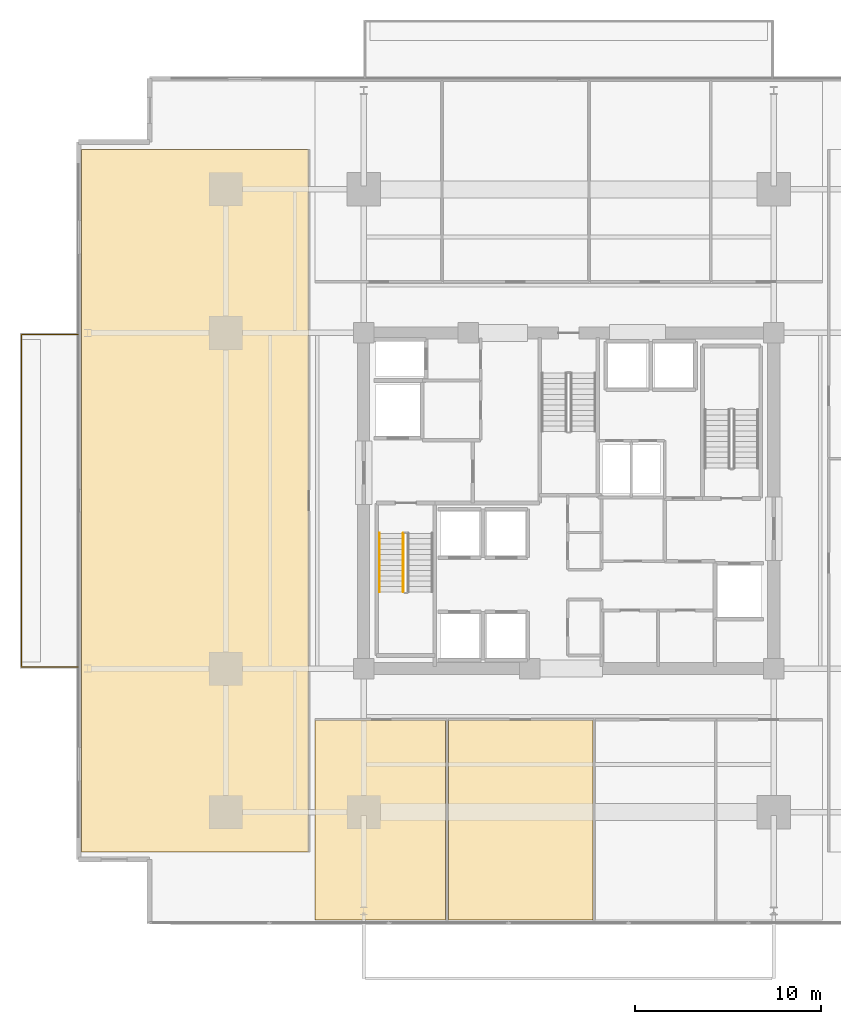
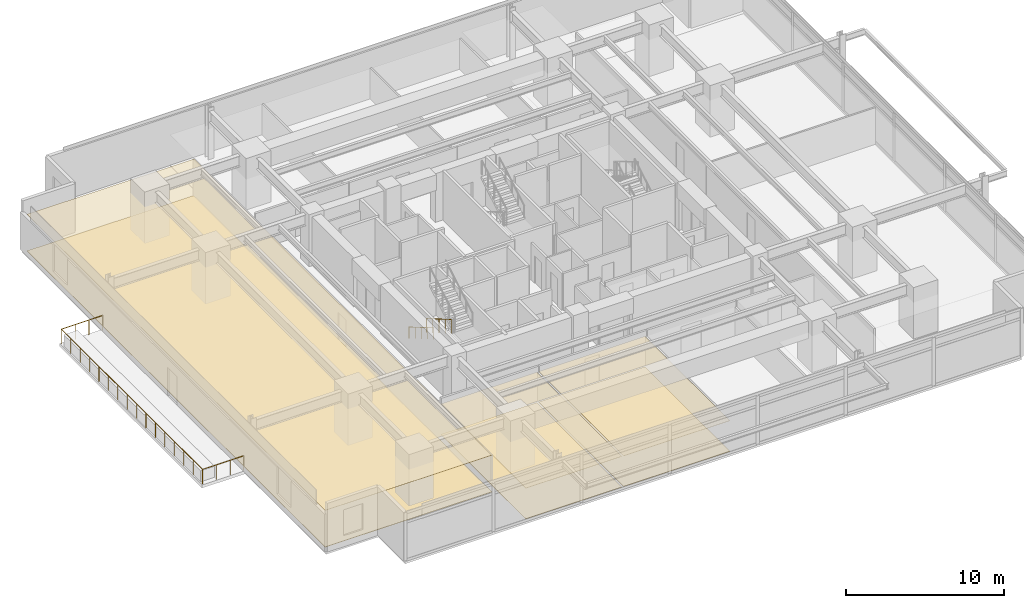
# One storey, part 16 of 19: 6 coverings, 3 railings.
"""IFC4 building model written with IfcOpenShell, lengths in metres."""

from ifc_helpers import new_model, si_unit, direction, frame, origin, origin_2d, place, context, subcontext, project, spatial, polyline, circle, outline, extrude, material, layer, layer_set, type_object, element, save


model = new_model("IFC4")

# Units and contexts
model_context = context("Model", 3, precision=1e-05, world=origin(), true_north=direction((0.0, 1.0)))
body_context = subcontext(model_context, "Body", "Model", "MODEL_VIEW")
ifc_project = project(units=[si_unit("LENGTHUNIT", "METRE"), si_unit("AREAUNIT", "SQUARE_METRE"), si_unit("VOLUMEUNIT", "CUBIC_METRE"), si_unit("PLANEANGLEUNIT", "RADIAN"), si_unit("MASSUNIT", "GRAM", prefix="KILO")], contexts=[model_context])

# Site, building, storey
site_placement = place(None, origin())
site = spatial("IfcSite", under=ifc_project, at=site_placement, CompositionType="ELEMENT")
building_placement = place(site_placement, origin())
building = spatial("IfcBuilding", under=site, at=building_placement, Name="Kovane Verandah Tower", CompositionType="ELEMENT")
storey_placement = place(building_placement, frame((0.0, 0.0, 83.60009765625)))
storey = spatial("IfcBuildingStorey", under=building, at=storey_placement, Name="L19", CompositionType="ELEMENT", Elevation=83.60009765625)

# Coverings
ifc_material_1 = material(Name="Perforated Acoustic Mineral-Fibre Ceiling Tile", Category="gypsum")
ifc_layer_1 = layer(ifc_material_1, 0.02490234375)
ifc_layer_set_1 = layer_set([ifc_layer_1], Name="Perforated Acoustic Mineral-Fibre Ceiling Tile")
covering_type_1 = type_object("IfcCoveringType", Name="CV-CEIL-25", PredefinedType="CEILING", material=ifc_layer_set_1)
covering_1_placement = place(storey_placement, frame((0.0, 0.0, 2.364990234375)))
element("IfcCovering", 1, at=covering_1_placement, inside=storey, type_object=covering_type_1, Name="L19 Open Plan Office S1 Acoustic Ceiling", PredefinedType="CEILING", context=body_context, shape_type="SweptSolid", body=[
    extrude(outline(polyline([(26.39990234375, 5.0107421875), (33.402099609375, 5.0107421875), (33.402099609375, 15.75), (26.39990234375, 15.75), (26.39990234375, 5.0107421875)])), origin(), (0.0, 0.0, 1.0), 0.02490234375),
])
covering_2_placement = place(storey_placement, frame((0.0, 0.0, 2.364990234375)))
element("IfcCovering", 2, at=covering_2_placement, inside=storey, type_object=covering_type_1, Name="L19 Executive Office S2 Acoustic Ceiling", PredefinedType="CEILING", context=body_context, shape_type="SweptSolid", body=[
    extrude(outline(polyline([(33.5419921875, 5.0107421875), (41.2900390625, 5.0107421875), (41.2900390625, 15.75), (33.5419921875, 15.75), (33.5419921875, 5.0107421875)])), origin(), (0.0, 0.0, 1.0), 0.02490234375),
])
covering_3_placement = place(storey_placement, frame((0.0, 0.0, 2.824951171875)))
element("IfcCovering", 3, at=covering_3_placement, inside=storey, type_object=covering_type_1, Name="L19 Focus Studio W1 Acoustic Ceiling", PredefinedType="CEILING", context=body_context, shape_type="SweptSolid", body=[
    extrude(outline(polyline([(13.865478515625, 8.660888671875), (26.050048828125, 8.660888671875), (26.050048828125, 46.339111328125), (13.865478515625, 46.339111328125), (13.865478515625, 8.660888671875)])), origin(), (0.0, 0.0, 1.0), 0.02490234375),
])
ifc_material_2 = material(Name="Polished Terrazzo and Raised-Access Carpet Tile Finish", Category="concrete")
ifc_layer_2 = layer(ifc_material_2, 0.030029296875)
ifc_layer_set_2 = layer_set([ifc_layer_2], Name="Polished Terrazzo and Raised-Access Carpet Tile Finish")
covering_type_2 = type_object("IfcCoveringType", Name="CV-FLOR-30", PredefinedType="FLOORING", material=ifc_layer_set_2)
covering_4_placement = place(storey_placement, origin())
element("IfcCovering", 4, at=covering_4_placement, inside=storey, type_object=covering_type_2, Name="L19 Open Plan Office S1 Floor Finish", PredefinedType="FLOORING", context=body_context, shape_type="SweptSolid", body=[
    extrude(outline(polyline([(26.39990234375, 5.0107421875), (33.402099609375, 5.0107421875), (33.402099609375, 15.75), (26.39990234375, 15.75), (26.39990234375, 5.0107421875)])), origin(), (0.0, 0.0, 1.0), 0.02978515625),
])
covering_5_placement = place(storey_placement, origin())
element("IfcCovering", 5, at=covering_5_placement, inside=storey, type_object=covering_type_2, Name="L19 Executive Office S2 Floor Finish", PredefinedType="FLOORING", context=body_context, shape_type="SweptSolid", body=[
    extrude(outline(polyline([(33.5419921875, 5.0107421875), (41.2900390625, 5.0107421875), (41.2900390625, 15.75), (33.5419921875, 15.75), (33.5419921875, 5.0107421875)])), origin(), (0.0, 0.0, 1.0), 0.02978515625),
])
covering_6_placement = place(storey_placement, origin())
element("IfcCovering", 6, at=covering_6_placement, inside=storey, type_object=covering_type_2, Name="L19 Focus Studio W1 Floor Finish", PredefinedType="FLOORING", context=body_context, shape_type="SweptSolid", body=[
    extrude(outline(polyline([(13.865478515625, 8.660888671875), (26.050048828125, 8.660888671875), (26.050048828125, 46.339111328125), (13.865478515625, 46.339111328125), (13.865478515625, 8.660888671875)])), origin(), (0.0, 0.0, 1.0), 0.02978515625),
])

# Railings
ifc_material_3 = material(Name="Laminated Glass and Pale-Champagne Stainless Balustrade", Category="glass")
railing_type_1 = type_object("IfcRailingType", Name="RL-BAL-1150", PredefinedType="BALUSTRADE", material=ifc_material_3)
railing_1_placement = place(storey_placement, frame((13.665283203125, 18.580078125, 0.0)))
element("IfcRailing", 7, at=railing_1_placement, inside=storey, type_object=railing_type_1, Name="L19 W Verandah Glass Balustrade", PredefinedType="BALUSTRADE", context=body_context, shape_type="SweptSolid", body=[
    extrude(circle(Radius=0.02392578125, at=origin_2d()), frame((0.0, 0.0, 1.1259765625), z_axis=(-1.0, 0.0, 0.0), x_axis=(0.0, -1.0, 0.0)), (0.0, 0.0, 1.0), 3.019775390625),
    extrude(circle(Radius=0.02392578125, at=origin_2d()), frame((-3.019775390625, 0.0, 1.1259765625), z_axis=(0.0, 1.0, 0.0), x_axis=(-1.0, 0.0, 0.0)), (0.0, 0.0, 1.0), 17.83984375),
    extrude(circle(Radius=0.02392578125, at=origin_2d()), frame((-3.019775390625, 17.83984375, 1.1259765625), z_axis=(1.0, 0.0, 0.0), x_axis=(0.0, 1.0, 0.0)), (0.0, 0.0, 1.0), 3.019775390625),
    extrude(circle(Radius=0.02099609375, at=origin_2d()), origin(), (0.0, 0.0, 1.0), 1.101806640625),
    extrude(circle(Radius=0.02099609375, at=origin_2d()), frame((-1.006591796875, 0.0, 0.0)), (0.0, 0.0, 1.0), 1.101806640625),
    extrude(circle(Radius=0.02099609375, at=origin_2d()), frame((-2.01318359375, 0.0, 0.0)), (0.0, 0.0, 1.0), 1.101806640625),
    extrude(circle(Radius=0.02099609375, at=origin_2d()), frame((-3.019775390625, 0.0, 0.0)), (0.0, 0.0, 1.0), 1.101806640625),
    extrude(circle(Radius=0.02099609375, at=origin_2d()), frame((-3.019775390625, 1.189208984375, 0.0)), (0.0, 0.0, 1.0), 1.101806640625),
    extrude(circle(Radius=0.02099609375, at=origin_2d()), frame((-3.019775390625, 2.378662109375, 0.0)), (0.0, 0.0, 1.0), 1.101806640625),
    extrude(circle(Radius=0.02099609375, at=origin_2d()), frame((-3.019775390625, 3.56787109375, 0.0)), (0.0, 0.0, 1.0), 1.101806640625),
    extrude(circle(Radius=0.02099609375, at=origin_2d()), frame((-3.019775390625, 4.75732421875, 0.0)), (0.0, 0.0, 1.0), 1.101806640625),
    extrude(circle(Radius=0.02099609375, at=origin_2d()), frame((-3.019775390625, 5.946533203125, 0.0)), (0.0, 0.0, 1.0), 1.101806640625),
    extrude(circle(Radius=0.02099609375, at=origin_2d()), frame((-3.019775390625, 7.135986328125, 0.0)), (0.0, 0.0, 1.0), 1.101806640625),
    extrude(circle(Radius=0.02099609375, at=origin_2d()), frame((-3.019775390625, 8.3251953125, 0.0)), (0.0, 0.0, 1.0), 1.101806640625),
    extrude(circle(Radius=0.02099609375, at=origin_2d()), frame((-3.019775390625, 9.5146484375, 0.0)), (0.0, 0.0, 1.0), 1.101806640625),
    extrude(circle(Radius=0.02099609375, at=origin_2d()), frame((-3.019775390625, 10.703857421875, 0.0)), (0.0, 0.0, 1.0), 1.101806640625),
    extrude(circle(Radius=0.02099609375, at=origin_2d()), frame((-3.019775390625, 11.893310546875, 0.0)), (0.0, 0.0, 1.0), 1.101806640625),
    extrude(circle(Radius=0.02099609375, at=origin_2d()), frame((-3.019775390625, 13.08251953125, 0.0)), (0.0, 0.0, 1.0), 1.101806640625),
    extrude(circle(Radius=0.02099609375, at=origin_2d()), frame((-3.019775390625, 14.27197265625, 0.0)), (0.0, 0.0, 1.0), 1.101806640625),
    extrude(circle(Radius=0.02099609375, at=origin_2d()), frame((-3.019775390625, 15.461181640625, 0.0)), (0.0, 0.0, 1.0), 1.101806640625),
    extrude(circle(Radius=0.02099609375, at=origin_2d()), frame((-3.019775390625, 16.650634765625, 0.0)), (0.0, 0.0, 1.0), 1.101806640625),
    extrude(circle(Radius=0.02099609375, at=origin_2d()), frame((-3.019775390625, 17.83984375, 0.0)), (0.0, 0.0, 1.0), 1.101806640625),
    extrude(circle(Radius=0.02099609375, at=origin_2d()), frame((-2.01318359375, 17.83984375, 0.0)), (0.0, 0.0, 1.0), 1.101806640625),
    extrude(circle(Radius=0.02099609375, at=origin_2d()), frame((-1.006591796875, 17.83984375, 0.0)), (0.0, 0.0, 1.0), 1.101806640625),
    extrude(circle(Radius=0.02099609375, at=origin_2d()), frame((0.0, 17.83984375, 0.0)), (0.0, 0.0, 1.0), 1.101806640625),
])
ifc_material_4 = material(Name="Brushed Stainless Steel Handrail", Category="steel")
railing_type_2 = type_object("IfcRailingType", Name="RL-HAND-920", PredefinedType="HANDRAIL", material=ifc_material_4)
railing_2_placement = place(storey_placement, frame((29.85009765625, 25.75, 0.16650390625)))
element("IfcRailing", 8, at=railing_2_placement, inside=storey, type_object=railing_type_2, Name="L19 ST-01 stair handrail 1", PredefinedType="HANDRAIL", context=body_context, shape_type="SweptSolid", body=[
    extrude(circle(Radius=0.02392578125, at=origin_2d()), frame((0.0, 0.0, 0.8759765625), z_axis=(0.0, -0.863210265497, 0.504844567704), x_axis=(1.0, 0.0, 0.0)), (0.0, 0.0, 1.0), 3.6318359375),
    extrude(circle(Radius=0.02099609375, at=origin_2d()), origin(), (0.0, 0.0, 1.0), 0.851806640625),
    extrude(circle(Radius=0.02099609375, at=origin_2d()), frame((0.0, -0.78369140625, 0.45849609375)), (0.0, 0.0, 1.0), 0.851806640625),
    extrude(circle(Radius=0.02099609375, at=origin_2d()), frame((0.0, -1.5673828125, 0.916748046875)), (0.0, 0.0, 1.0), 0.851806640625),
    extrude(circle(Radius=0.02099609375, at=origin_2d()), frame((0.0, -2.351318359375, 1.375)), (0.0, 0.0, 1.0), 0.851806640625),
    extrude(circle(Radius=0.02099609375, at=origin_2d()), frame((0.0, -3.135009765625, 1.83349609375)), (0.0, 0.0, 1.0), 0.851806640625),
])
ifc_material_5 = material(Name="Painted Steel Stairwell Guardrail", Category="steel")
railing_type_3 = type_object("IfcRailingType", Name="RL-STGUARD-1120", PredefinedType="GUARDRAIL", material=ifc_material_5)
railing_3_placement = place(storey_placement, frame((31.1298828125, 25.75, 0.16650390625)))
element("IfcRailing", 9, at=railing_3_placement, inside=storey, type_object=railing_type_3, Name="L19 ST-01 stair guard 1", PredefinedType="GUARDRAIL", context=body_context, shape_type="SweptSolid", body=[
    extrude(circle(Radius=0.02392578125, at=origin_2d()), frame((0.0, 0.0, 1.076171875), z_axis=(0.0, -0.863210265497, 0.504844567704), x_axis=(1.0, 0.0, 0.0)), (0.0, 0.0, 1.0), 3.6318359375),
    extrude(circle(Radius=0.02099609375, at=origin_2d()), origin(), (0.0, 0.0, 1.0), 1.052001953125),
    extrude(circle(Radius=0.02099609375, at=origin_2d()), frame((0.0, -0.78369140625, 0.45849609375)), (0.0, 0.0, 1.0), 1.052001953125),
    extrude(circle(Radius=0.02099609375, at=origin_2d()), frame((0.0, -1.5673828125, 0.916748046875)), (0.0, 0.0, 1.0), 1.052001953125),
    extrude(circle(Radius=0.02099609375, at=origin_2d()), frame((0.0, -2.351318359375, 1.375)), (0.0, 0.0, 1.0), 1.052001953125),
    extrude(circle(Radius=0.02099609375, at=origin_2d()), frame((0.0, -3.135009765625, 1.83349609375)), (0.0, 0.0, 1.0), 1.052001953125),
])

save(model, "model.ifc")
